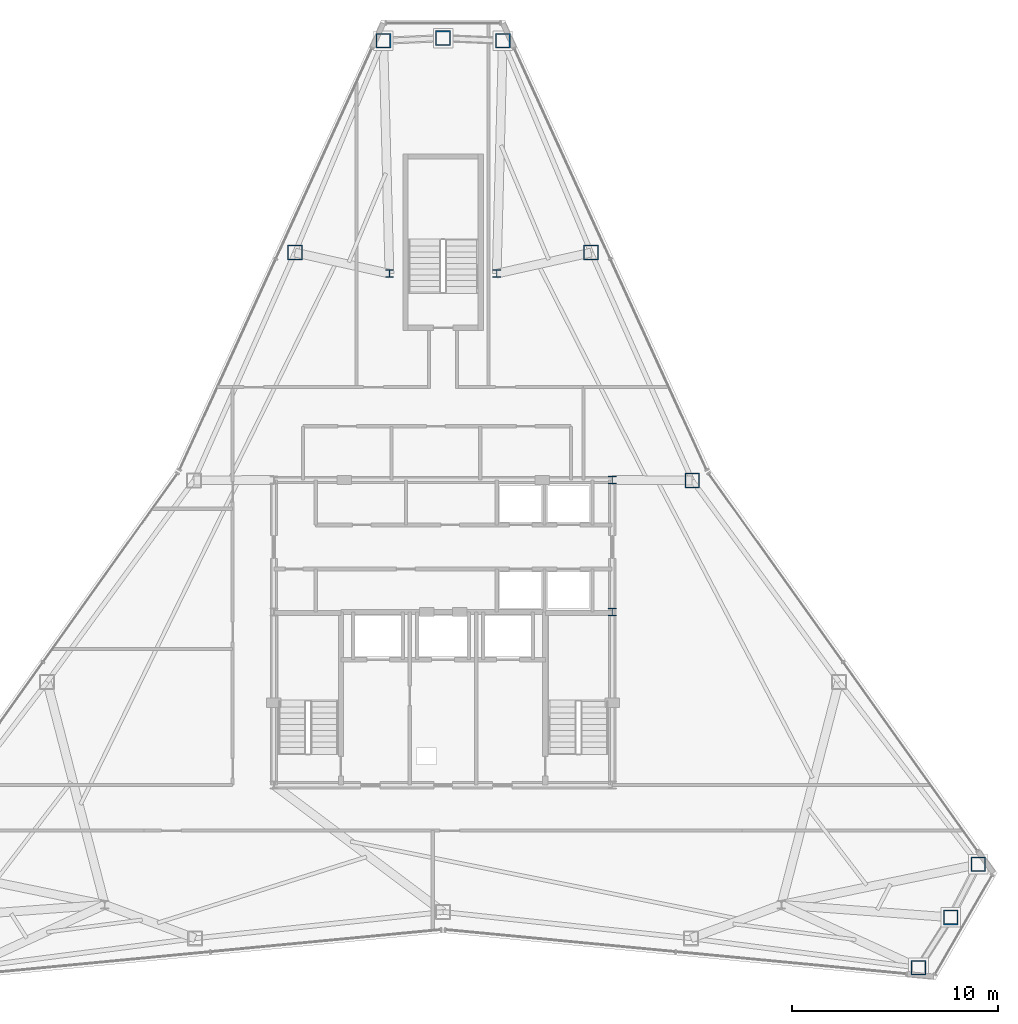
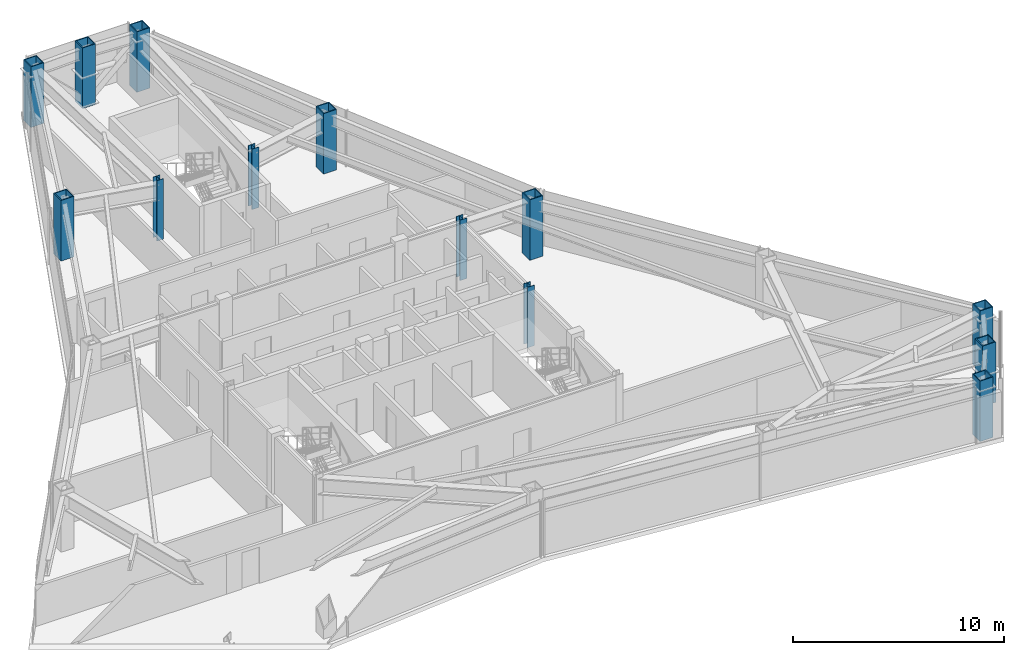
# One storey, part 2 of 12: 13 columns.
"""IFC4 building model written with IfcOpenShell, lengths in metres."""

from ifc_helpers import new_model, si_unit, direction, frame, origin, origin_2d, place, context, subcontext, project, spatial, hollow_rectangle, i_section, extrude, material, material_profile, profile_set, type_object, element, save


model = new_model("IFC4")

# Units and contexts
model_context = context("Model", 3, precision=1e-05, world=origin(), true_north=direction((0.0, 1.0)))
body_context = subcontext(model_context, "Body", "Model", "MODEL_VIEW")
ifc_project = project(units=[si_unit("LENGTHUNIT", "METRE"), si_unit("AREAUNIT", "SQUARE_METRE"), si_unit("VOLUMEUNIT", "CUBIC_METRE"), si_unit("PLANEANGLEUNIT", "RADIAN"), si_unit("MASSUNIT", "GRAM", prefix="KILO")], contexts=[model_context])

# Site, building, storey
site_placement = place(None, origin())
site = spatial("IfcSite", under=ifc_project, at=site_placement, CompositionType="ELEMENT")
building_placement = place(site_placement, origin())
building = spatial("IfcBuilding", under=site, at=building_placement, Name="Varakhsha Concourse Tower", CompositionType="ELEMENT")
storey_placement = place(building_placement, frame((0.0, 0.0, 243.39990234375)))
storey = spatial("IfcBuildingStorey", under=building, at=storey_placement, Name="L69", CompositionType="ELEMENT", Elevation=243.39990234375)

# Columns
ifc_material_1 = material(Name="Structural Steel ASTM A992 Grade 50", Category="steel")
ifc_material_profile_1 = material_profile(ifc_material_1, i_section(OverallWidth=0.3740234375, OverallDepth=0.3720703125, WebThickness=0.01611328125, FlangeThickness=0.02587890625, at=origin_2d()), Name="W14X132")
ifc_profile_set_1 = profile_set([ifc_material_profile_1], Name="Structural Steel ASTM A992 Grade 50")
column_type_1 = type_object("IfcColumnType", Name="CL-CORE-W14X132", PredefinedType="COLUMN", material=ifc_profile_set_1)
for number, where, z_axis, x_axis, name in (
    (1, (48.199951171875, 24.800048828125, 0.0), (0.0, 0.0, 1.0), (1.0, 0.0, 0.0), "L69 Core Column CC-ME"),
    (2, (48.199951171875, 31.199951171875, 0.0), (0.0, 0.0, 1.0), (1.0, 0.0, 0.0), "L69 Core Column CC-NE"),
    (3, (37.39990234375, 41.199951171875, 0.0), (0.0, 0.0, 1.0), (1.0, 0.0, 0.0), "L69 Core Column NS-W"),
    (4, (42.60009765625, 41.199951171875, 0.0), (0.0, 0.0, 1.0), (1.0, 0.0, 0.0), "L69 Core Column NS-E"),
):
    element("IfcColumn", number, at=place(storey_placement, frame(where, z_axis=z_axis, x_axis=x_axis)), inside=storey, type_object=column_type_1, Name=name, PredefinedType="COLUMN", context=body_context, shape_type="SweptSolid", body=[
        extrude(i_section(OverallWidth=0.3740234375, OverallDepth=0.3720703125, WebThickness=0.01611328125, FlangeThickness=0.02587890625, at=origin_2d()), origin(), (0.0, 0.0, 1.0), 3.5),
    ])
ifc_material_2 = material(Name="Structural Steel ASTM A572 Grade 50", Category="steel")
ifc_material_profile_2 = material_profile(ifc_material_2, hollow_rectangle(XDim=0.719970703125, YDim=0.719970703125, WallThickness=0.050048828125, at=origin_2d()), Name="BOX 720x720x50")
ifc_profile_set_2 = profile_set([ifc_material_profile_2], Name="Structural Steel ASTM A572 Grade 50")
column_type_2 = type_object("IfcColumnType", Name="CL-TUBE-720", PredefinedType="COLUMN", material=ifc_profile_set_2)
for number, where, z_axis, x_axis, name in (
    (5, (42.89697265625, 52.490478515625, 0.0), (0.0, 0.0, 1.0), (1.0, 0.0, 0.0), "L69 Framed-Tube Column TC01"),
    (6, (40.0, 52.6171875, 0.0), (0.0, 0.0, 1.0), (1.0, 0.0, 0.0), "L69 Framed-Tube Column TC02"),
    (7, (37.10302734375, 52.490478515625, 0.0), (0.0, 0.0, 1.0), (1.0, 0.0, 0.0), "L69 Framed-Tube Column TC03"),
    (8, (32.82275390625, 42.22314453125, 0.0), (0.0, 0.0, 1.0), (1.0, 0.0, 0.0), "L69 Framed-Tube Column TC04"),
    (9, (63.0517578125, 7.5458984375, 0.0), (0.0, 0.0, 1.0), (1.0, 0.0, 0.0), "L69 Framed-Tube Column TC13"),
    (10, (64.610107421875, 9.991455078125, 0.0), (0.0, 0.0, 1.0), (1.0, 0.0, 0.0), "L69 Framed-Tube Column TC14"),
    (11, (65.94873046875, 12.563720703125, 0.0), (0.0, 0.0, 1.0), (1.0, 0.0, 0.0), "L69 Framed-Tube Column TC15"),
    (12, (52.0791015625, 31.173828125, 0.0), (0.0, 0.0, 1.0), (1.0, 0.0, 0.0), "L69 Framed-Tube Column TC17"),
    (13, (47.17724609375, 42.22314453125, 0.0), (0.0, 0.0, 1.0), (1.0, 0.0, 0.0), "L69 Framed-Tube Column TC18"),
):
    element("IfcColumn", number, at=place(storey_placement, frame(where, z_axis=z_axis, x_axis=x_axis)), inside=storey, type_object=column_type_2, Name=name, PredefinedType="COLUMN", context=body_context, shape_type="SweptSolid", body=[
        extrude(hollow_rectangle(XDim=0.719970703125, YDim=0.719970703125, WallThickness=0.050048828125, at=origin_2d()), origin(), (0.0, 0.0, 1.0), 3.5),
    ])

save(model, "model.ifc")
